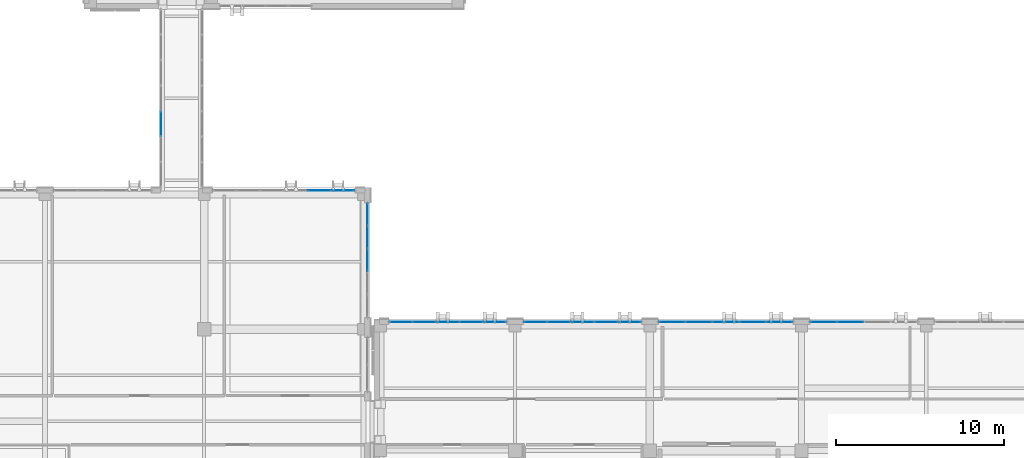
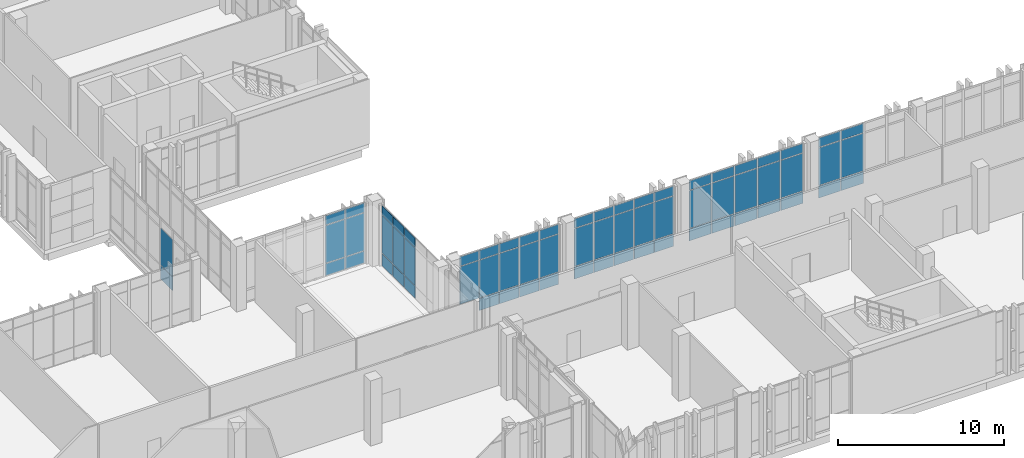
# One storey, part 137 of 189: 67 plates, 7 elements without a shape of their own.
"""IFC4 building model written with IfcOpenShell, lengths in metres."""

from ifc_helpers import new_model, si_unit, direction, frame, origin, origin_2d, place, context, subcontext, project, spatial, rectangle, extrude, material, layer, layer_set, type_object, element, aggregate, save


model = new_model("IFC4")

# Units and contexts
model_context = context("Model", 3, precision=1e-05, world=origin(), true_north=direction((0.0, 1.0)))
body_context = subcontext(model_context, "Body", "Model", "MODEL_VIEW")
ifc_project = project(units=[si_unit("LENGTHUNIT", "METRE"), si_unit("AREAUNIT", "SQUARE_METRE"), si_unit("VOLUMEUNIT", "CUBIC_METRE"), si_unit("PLANEANGLEUNIT", "RADIAN"), si_unit("MASSUNIT", "GRAM", prefix="KILO")], contexts=[model_context])

# Site, building, storey
site_placement = place(None, origin())
site = spatial("IfcSite", under=ifc_project, at=site_placement, CompositionType="ELEMENT")
building_placement = place(site_placement, origin())
building = spatial("IfcBuilding", under=site, at=building_placement, Name="Qalavern Law Courts", CompositionType="ELEMENT")
storey_placement = place(building_placement, frame((0.0, 0.0, 5.39990234375)))
storey = spatial("IfcBuildingStorey", under=building, at=storey_placement, Name="L01", CompositionType="ELEMENT", Elevation=5.39990234375)

# Curtain wall, plates
ifc_material_1 = material(Name="Anodised aluminium and insulated glazing", Category="aluminium")
ifc_layer_1 = layer(ifc_material_1, 0.172119140625)
ifc_layer_set_1 = layer_set([ifc_layer_1], Name="Anodised aluminium and insulated glazing")
curtain_wall_type_1 = type_object("IfcCurtainWallType", Name="ENV-CW-COURT", PredefinedType="USERDEFINED", material=ifc_layer_set_1)
curtain_wall_1_placement = place(storey_placement, origin())
curtain_wall_1 = element("IfcCurtainWall", 1, at=curtain_wall_1_placement, inside=storey, type_object=curtain_wall_type_1, Name="V6 unitised curtain wall L01 north 5", ObjectType="UNITISED CURTAIN WALL", PredefinedType="USERDEFINED")
ifc_material_2 = material(Name="Insulated low-E acoustic glazing", Category="glass")
ifc_layer_2 = layer(ifc_material_2, 0.028076171875)
ifc_layer_set_2 = layer_set([ifc_layer_2], Name="Insulated low-E acoustic glazing")
plate_type_1 = type_object("IfcPlateType", Name="ENV-CWP-28", PredefinedType="CURTAIN_PANEL", material=ifc_layer_set_2)
plate_1_placement = place(storey_placement, frame((129.699951171875, 22.4375, 0.048095703125), z_axis=(0.0, 0.0, 1.0), x_axis=(-1.0, 0.0, 0.0)))
plate_1 = element("IfcPlate", 2, at=plate_1_placement, type_object=plate_type_1, Name="CW-03 panel 3.1", PredefinedType="CURTAIN_PANEL", context=body_context, shape_type="SweptSolid", body=[
    extrude(rectangle(XDim=1.552001953125, YDim=0.028076171875, at=origin_2d()), origin(), (0.0, 0.0, 1.0), 0.8779296875),
])
plate_2_placement = place(storey_placement, frame((129.699951171875, 22.4375, 0.97412109375), z_axis=(0.0, 0.0, 1.0), x_axis=(-1.0, 0.0, 0.0)))
plate_2 = element("IfcPlate", 3, at=plate_2_placement, type_object=plate_type_1, Name="CW-03 panel 3.2", PredefinedType="CURTAIN_PANEL", context=body_context, shape_type="SweptSolid", body=[
    extrude(rectangle(XDim=1.552001953125, YDim=0.028076171875, at=origin_2d()), origin(), (0.0, 0.0, 1.0), 2.761962890625),
])
plate_3_placement = place(storey_placement, frame((129.699951171875, 22.4375, 3.7841796875), z_axis=(0.0, 0.0, 1.0), x_axis=(-1.0, 0.0, 0.0)))
plate_3 = element("IfcPlate", 4, at=plate_3_placement, type_object=plate_type_1, Name="CW-03 panel 3.3", PredefinedType="CURTAIN_PANEL", context=body_context, shape_type="SweptSolid", body=[
    extrude(rectangle(XDim=1.552001953125, YDim=0.028076171875, at=origin_2d()), origin(), (0.0, 0.0, 1.0), 0.677978515625),
])
plate_4_placement = place(storey_placement, frame((128.112060546875, 22.4375, 0.048095703125), z_axis=(0.0, 0.0, 1.0), x_axis=(-1.0, 0.0, 0.0)))
plate_4 = element("IfcPlate", 5, at=plate_4_placement, type_object=plate_type_1, Name="CW-03 panel 4.1", PredefinedType="CURTAIN_PANEL", context=body_context, shape_type="SweptSolid", body=[
    extrude(rectangle(XDim=1.528076171875, YDim=0.028076171875, at=origin_2d()), origin(), (0.0, 0.0, 1.0), 0.8779296875),
])
plate_5_placement = place(storey_placement, frame((128.112060546875, 22.4375, 0.97412109375), z_axis=(0.0, 0.0, 1.0), x_axis=(-1.0, 0.0, 0.0)))
plate_5 = element("IfcPlate", 6, at=plate_5_placement, type_object=plate_type_1, Name="CW-03 panel 4.2", PredefinedType="CURTAIN_PANEL", context=body_context, shape_type="SweptSolid", body=[
    extrude(rectangle(XDim=1.528076171875, YDim=0.028076171875, at=origin_2d()), origin(), (0.0, 0.0, 1.0), 2.761962890625),
])
plate_6_placement = place(storey_placement, frame((128.112060546875, 22.4375, 3.7841796875), z_axis=(0.0, 0.0, 1.0), x_axis=(-1.0, 0.0, 0.0)))
plate_6 = element("IfcPlate", 7, at=plate_6_placement, type_object=plate_type_1, Name="CW-03 panel 4.3", PredefinedType="CURTAIN_PANEL", context=body_context, shape_type="SweptSolid", body=[
    extrude(rectangle(XDim=1.528076171875, YDim=0.028076171875, at=origin_2d()), origin(), (0.0, 0.0, 1.0), 0.677978515625),
])
aggregate(curtain_wall_1, [plate_1, plate_2, plate_3, plate_4, plate_5, plate_6])

curtain_wall_2_placement = place(storey_placement, origin())
curtain_wall_2 = element("IfcCurtainWall", 8, at=curtain_wall_2_placement, inside=storey, type_object=curtain_wall_type_1, Name="V6 unitised curtain wall L01 north 6", ObjectType="UNITISED CURTAIN WALL", PredefinedType="USERDEFINED")
ifc_layer_3 = layer(ifc_material_2, 0.031982421875)
ifc_layer_set_3 = layer_set([ifc_layer_3], Name="Insulated low-E acoustic glazing")
plate_type_2 = type_object("IfcPlateType", Name="ENV-CWP-32", PredefinedType="CURTAIN_PANEL", material=ifc_layer_set_3)
plate_7_placement = place(storey_placement, frame((125.488037109375, 22.4375, 0.048095703125), z_axis=(0.0, 0.0, 1.0), x_axis=(-1.0, 0.0, 0.0)))
plate_7 = element("IfcPlate", 9, at=plate_7_placement, type_object=plate_type_2, Name="CW-03 panel 1.1", PredefinedType="CURTAIN_PANEL", context=body_context, shape_type="SweptSolid", body=[
    extrude(rectangle(XDim=1.528076171875, YDim=0.031982421875, at=origin_2d()), origin(), (0.0, 0.0, 1.0), 0.8779296875),
])
plate_8_placement = place(storey_placement, frame((125.488037109375, 22.4375, 0.97412109375), z_axis=(0.0, 0.0, 1.0), x_axis=(-1.0, 0.0, 0.0)))
plate_8 = element("IfcPlate", 10, at=plate_8_placement, type_object=plate_type_2, Name="CW-03 panel 1.2", PredefinedType="CURTAIN_PANEL", context=body_context, shape_type="SweptSolid", body=[
    extrude(rectangle(XDim=1.528076171875, YDim=0.031982421875, at=origin_2d()), origin(), (0.0, 0.0, 1.0), 2.761962890625),
])
plate_9_placement = place(storey_placement, frame((125.488037109375, 22.4375, 3.7841796875), z_axis=(0.0, 0.0, 1.0), x_axis=(-1.0, 0.0, 0.0)))
plate_9 = element("IfcPlate", 11, at=plate_9_placement, type_object=plate_type_2, Name="CW-03 panel 1.3", PredefinedType="CURTAIN_PANEL", context=body_context, shape_type="SweptSolid", body=[
    extrude(rectangle(XDim=1.528076171875, YDim=0.031982421875, at=origin_2d()), origin(), (0.0, 0.0, 1.0), 0.677978515625),
])
plate_10_placement = place(storey_placement, frame((123.89990234375, 22.4375, 0.048095703125), z_axis=(0.0, 0.0, 1.0), x_axis=(-1.0, 0.0, 0.0)))
plate_10 = element("IfcPlate", 12, at=plate_10_placement, type_object=plate_type_2, Name="CW-03 panel 2.1", PredefinedType="CURTAIN_PANEL", context=body_context, shape_type="SweptSolid", body=[
    extrude(rectangle(XDim=1.552001953125, YDim=0.031982421875, at=origin_2d()), origin(), (0.0, 0.0, 1.0), 0.8779296875),
])
plate_11_placement = place(storey_placement, frame((123.89990234375, 22.4375, 0.97412109375), z_axis=(0.0, 0.0, 1.0), x_axis=(-1.0, 0.0, 0.0)))
plate_11 = element("IfcPlate", 13, at=plate_11_placement, type_object=plate_type_2, Name="CW-03 panel 2.2", PredefinedType="CURTAIN_PANEL", context=body_context, shape_type="SweptSolid", body=[
    extrude(rectangle(XDim=1.552001953125, YDim=0.031982421875, at=origin_2d()), origin(), (0.0, 0.0, 1.0), 2.761962890625),
])
plate_12_placement = place(storey_placement, frame((123.89990234375, 22.4375, 3.7841796875), z_axis=(0.0, 0.0, 1.0), x_axis=(-1.0, 0.0, 0.0)))
plate_12 = element("IfcPlate", 14, at=plate_12_placement, type_object=plate_type_2, Name="CW-03 panel 2.3", PredefinedType="CURTAIN_PANEL", context=body_context, shape_type="SweptSolid", body=[
    extrude(rectangle(XDim=1.552001953125, YDim=0.031982421875, at=origin_2d()), origin(), (0.0, 0.0, 1.0), 0.677978515625),
])
plate_13_placement = place(storey_placement, frame((122.300048828125, 22.4375, 0.048095703125), z_axis=(0.0, 0.0, 1.0), x_axis=(-1.0, 0.0, 0.0)))
plate_13 = element("IfcPlate", 15, at=plate_13_placement, type_object=plate_type_2, Name="CW-03 panel 3.1", PredefinedType="CURTAIN_PANEL", context=body_context, shape_type="SweptSolid", body=[
    extrude(rectangle(XDim=1.552001953125, YDim=0.031982421875, at=origin_2d()), origin(), (0.0, 0.0, 1.0), 0.8779296875),
])
plate_14_placement = place(storey_placement, frame((122.300048828125, 22.4375, 0.97412109375), z_axis=(0.0, 0.0, 1.0), x_axis=(-1.0, 0.0, 0.0)))
plate_14 = element("IfcPlate", 16, at=plate_14_placement, type_object=plate_type_2, Name="CW-03 panel 3.2", PredefinedType="CURTAIN_PANEL", context=body_context, shape_type="SweptSolid", body=[
    extrude(rectangle(XDim=1.552001953125, YDim=0.031982421875, at=origin_2d()), origin(), (0.0, 0.0, 1.0), 2.761962890625),
])
plate_15_placement = place(storey_placement, frame((122.300048828125, 22.4375, 3.7841796875), z_axis=(0.0, 0.0, 1.0), x_axis=(-1.0, 0.0, 0.0)))
plate_15 = element("IfcPlate", 17, at=plate_15_placement, type_object=plate_type_2, Name="CW-03 panel 3.3", PredefinedType="CURTAIN_PANEL", context=body_context, shape_type="SweptSolid", body=[
    extrude(rectangle(XDim=1.552001953125, YDim=0.031982421875, at=origin_2d()), origin(), (0.0, 0.0, 1.0), 0.677978515625),
])
plate_16_placement = place(storey_placement, frame((120.699951171875, 22.4375, 0.048095703125), z_axis=(0.0, 0.0, 1.0), x_axis=(-1.0, 0.0, 0.0)))
plate_16 = element("IfcPlate", 18, at=plate_16_placement, type_object=plate_type_2, Name="CW-03 panel 4.1", PredefinedType="CURTAIN_PANEL", context=body_context, shape_type="SweptSolid", body=[
    extrude(rectangle(XDim=1.552001953125, YDim=0.031982421875, at=origin_2d()), origin(), (0.0, 0.0, 1.0), 0.8779296875),
])
plate_17_placement = place(storey_placement, frame((120.699951171875, 22.4375, 0.97412109375), z_axis=(0.0, 0.0, 1.0), x_axis=(-1.0, 0.0, 0.0)))
plate_17 = element("IfcPlate", 19, at=plate_17_placement, type_object=plate_type_2, Name="CW-03 panel 4.2", PredefinedType="CURTAIN_PANEL", context=body_context, shape_type="SweptSolid", body=[
    extrude(rectangle(XDim=1.552001953125, YDim=0.031982421875, at=origin_2d()), origin(), (0.0, 0.0, 1.0), 2.761962890625),
])
plate_18_placement = place(storey_placement, frame((120.699951171875, 22.4375, 3.7841796875), z_axis=(0.0, 0.0, 1.0), x_axis=(-1.0, 0.0, 0.0)))
plate_18 = element("IfcPlate", 20, at=plate_18_placement, type_object=plate_type_2, Name="CW-03 panel 4.3", PredefinedType="CURTAIN_PANEL", context=body_context, shape_type="SweptSolid", body=[
    extrude(rectangle(XDim=1.552001953125, YDim=0.031982421875, at=origin_2d()), origin(), (0.0, 0.0, 1.0), 0.677978515625),
])
plate_19_placement = place(storey_placement, frame((119.112060546875, 22.4375, 0.048095703125), z_axis=(0.0, 0.0, 1.0), x_axis=(-1.0, 0.0, 0.0)))
plate_19 = element("IfcPlate", 21, at=plate_19_placement, type_object=plate_type_2, Name="CW-03 panel 5.1", PredefinedType="CURTAIN_PANEL", context=body_context, shape_type="SweptSolid", body=[
    extrude(rectangle(XDim=1.528076171875, YDim=0.031982421875, at=origin_2d()), origin(), (0.0, 0.0, 1.0), 0.8779296875),
])
plate_20_placement = place(storey_placement, frame((119.112060546875, 22.4375, 0.97412109375), z_axis=(0.0, 0.0, 1.0), x_axis=(-1.0, 0.0, 0.0)))
plate_20 = element("IfcPlate", 22, at=plate_20_placement, type_object=plate_type_2, Name="CW-03 panel 5.2", PredefinedType="CURTAIN_PANEL", context=body_context, shape_type="SweptSolid", body=[
    extrude(rectangle(XDim=1.528076171875, YDim=0.031982421875, at=origin_2d()), origin(), (0.0, 0.0, 1.0), 2.761962890625),
])
plate_21_placement = place(storey_placement, frame((119.112060546875, 22.4375, 3.7841796875), z_axis=(0.0, 0.0, 1.0), x_axis=(-1.0, 0.0, 0.0)))
plate_21 = element("IfcPlate", 23, at=plate_21_placement, type_object=plate_type_2, Name="CW-03 panel 5.3", PredefinedType="CURTAIN_PANEL", context=body_context, shape_type="SweptSolid", body=[
    extrude(rectangle(XDim=1.528076171875, YDim=0.031982421875, at=origin_2d()), origin(), (0.0, 0.0, 1.0), 0.677978515625),
])
aggregate(curtain_wall_2, [plate_7, plate_8, plate_9, plate_10, plate_11, plate_12, plate_13, plate_14, plate_15, plate_16, plate_17, plate_18, plate_19, plate_20, plate_21])

ifc_layer_4 = layer(ifc_material_1, 0.14990234375)
ifc_layer_set_4 = layer_set([ifc_layer_4], Name="Anodised aluminium and insulated glazing")
curtain_wall_type_2 = type_object("IfcCurtainWallType", Name="ENV-CW-BRG", PredefinedType="USERDEFINED", material=ifc_layer_set_4)
curtain_wall_3_placement = place(storey_placement, origin())
curtain_wall_3 = element("IfcCurtainWall", 24, at=curtain_wall_3_placement, inside=storey, type_object=curtain_wall_type_2, Name="Bridge BR-V2-V4 glazed curtain wall L01-1", ObjectType="UNITISED CURTAIN WALL", PredefinedType="USERDEFINED")
plate_22_placement = place(storey_placement, frame((88.77490234375, 34.198486328125, 0.048095703125), z_axis=(0.0, 0.0, 1.0), x_axis=(0.0, -1.0, 0.0)))
plate_22 = element("IfcPlate", 25, at=plate_22_placement, type_object=plate_type_2, Name="CW-06 panel 5.1", PredefinedType="CURTAIN_PANEL", context=body_context, shape_type="SweptSolid", body=[
    extrude(rectangle(XDim=1.46337890625, YDim=0.031982421875, at=origin_2d()), origin(), (0.0, 0.0, 1.0), 0.97802734375),
])
plate_23_placement = place(storey_placement, frame((88.77490234375, 34.198486328125, 1.07421875), z_axis=(0.0, 0.0, 1.0), x_axis=(0.0, -1.0, 0.0)))
plate_23 = element("IfcPlate", 26, at=plate_23_placement, type_object=plate_type_2, Name="CW-06 panel 5.2", PredefinedType="CURTAIN_PANEL", context=body_context, shape_type="SweptSolid", body=[
    extrude(rectangle(XDim=1.46337890625, YDim=0.031982421875, at=origin_2d()), origin(), (0.0, 0.0, 1.0), 2.7119140625),
])
aggregate(curtain_wall_3, [plate_22, plate_23])

curtain_wall_4_placement = place(storey_placement, origin())
curtain_wall_4 = element("IfcCurtainWall", 27, at=curtain_wall_4_placement, inside=storey, type_object=curtain_wall_type_1, Name="V6 unitised curtain wall L01 north 7", ObjectType="UNITISED CURTAIN WALL", PredefinedType="USERDEFINED")
ifc_layer_5 = layer(ifc_material_2, 0.035888671875)
ifc_layer_set_5 = layer_set([ifc_layer_5], Name="Insulated low-E acoustic glazing")
plate_type_3 = type_object("IfcPlateType", Name="ENV-CWP-36", PredefinedType="CURTAIN_PANEL", material=ifc_layer_set_5)
plate_24_placement = place(storey_placement, frame((116.587890625, 22.4375, 0.048095703125), z_axis=(0.0, 0.0, 1.0), x_axis=(-1.0, 0.0, 0.0)))
plate_24 = element("IfcPlate", 28, at=plate_24_placement, type_object=plate_type_3, Name="CW-03 panel 1.1", PredefinedType="CURTAIN_PANEL", context=body_context, shape_type="SweptSolid", body=[
    extrude(rectangle(XDim=1.327880859375, YDim=0.035888671875, at=origin_2d()), origin(), (0.0, 0.0, 1.0), 0.8779296875),
])
plate_25_placement = place(storey_placement, frame((116.587890625, 22.4375, 0.97412109375), z_axis=(0.0, 0.0, 1.0), x_axis=(-1.0, 0.0, 0.0)))
plate_25 = element("IfcPlate", 29, at=plate_25_placement, type_object=plate_type_3, Name="CW-03 panel 1.2", PredefinedType="CURTAIN_PANEL", context=body_context, shape_type="SweptSolid", body=[
    extrude(rectangle(XDim=1.327880859375, YDim=0.035888671875, at=origin_2d()), origin(), (0.0, 0.0, 1.0), 2.761962890625),
])
plate_26_placement = place(storey_placement, frame((116.587890625, 22.4375, 3.7841796875), z_axis=(0.0, 0.0, 1.0), x_axis=(-1.0, 0.0, 0.0)))
plate_26 = element("IfcPlate", 30, at=plate_26_placement, type_object=plate_type_3, Name="CW-03 panel 1.3", PredefinedType="CURTAIN_PANEL", context=body_context, shape_type="SweptSolid", body=[
    extrude(rectangle(XDim=1.327880859375, YDim=0.035888671875, at=origin_2d()), origin(), (0.0, 0.0, 1.0), 0.677978515625),
])
plate_27_placement = place(storey_placement, frame((115.199951171875, 22.4375, 0.048095703125), z_axis=(0.0, 0.0, 1.0), x_axis=(-1.0, 0.0, 0.0)))
plate_27 = element("IfcPlate", 31, at=plate_27_placement, type_object=plate_type_3, Name="CW-03 panel 2.1", PredefinedType="CURTAIN_PANEL", context=body_context, shape_type="SweptSolid", body=[
    extrude(rectangle(XDim=1.35205078125, YDim=0.035888671875, at=origin_2d()), origin(), (0.0, 0.0, 1.0), 0.8779296875),
])
plate_28_placement = place(storey_placement, frame((115.199951171875, 22.4375, 0.97412109375), z_axis=(0.0, 0.0, 1.0), x_axis=(-1.0, 0.0, 0.0)))
plate_28 = element("IfcPlate", 32, at=plate_28_placement, type_object=plate_type_3, Name="CW-03 panel 2.2", PredefinedType="CURTAIN_PANEL", context=body_context, shape_type="SweptSolid", body=[
    extrude(rectangle(XDim=1.35205078125, YDim=0.035888671875, at=origin_2d()), origin(), (0.0, 0.0, 1.0), 2.761962890625),
])
plate_29_placement = place(storey_placement, frame((115.199951171875, 22.4375, 3.7841796875), z_axis=(0.0, 0.0, 1.0), x_axis=(-1.0, 0.0, 0.0)))
plate_29 = element("IfcPlate", 33, at=plate_29_placement, type_object=plate_type_3, Name="CW-03 panel 2.3", PredefinedType="CURTAIN_PANEL", context=body_context, shape_type="SweptSolid", body=[
    extrude(rectangle(XDim=1.35205078125, YDim=0.035888671875, at=origin_2d()), origin(), (0.0, 0.0, 1.0), 0.677978515625),
])
plate_30_placement = place(storey_placement, frame((113.800048828125, 22.4375, 0.048095703125), z_axis=(0.0, 0.0, 1.0), x_axis=(-1.0, 0.0, 0.0)))
plate_30 = element("IfcPlate", 34, at=plate_30_placement, type_object=plate_type_3, Name="CW-03 panel 3.1", PredefinedType="CURTAIN_PANEL", context=body_context, shape_type="SweptSolid", body=[
    extrude(rectangle(XDim=1.35205078125, YDim=0.035888671875, at=origin_2d()), origin(), (0.0, 0.0, 1.0), 0.8779296875),
])
plate_31_placement = place(storey_placement, frame((113.800048828125, 22.4375, 0.97412109375), z_axis=(0.0, 0.0, 1.0), x_axis=(-1.0, 0.0, 0.0)))
plate_31 = element("IfcPlate", 35, at=plate_31_placement, type_object=plate_type_3, Name="CW-03 panel 3.2", PredefinedType="CURTAIN_PANEL", context=body_context, shape_type="SweptSolid", body=[
    extrude(rectangle(XDim=1.35205078125, YDim=0.035888671875, at=origin_2d()), origin(), (0.0, 0.0, 1.0), 2.761962890625),
])
plate_32_placement = place(storey_placement, frame((113.800048828125, 22.4375, 3.7841796875), z_axis=(0.0, 0.0, 1.0), x_axis=(-1.0, 0.0, 0.0)))
plate_32 = element("IfcPlate", 36, at=plate_32_placement, type_object=plate_type_3, Name="CW-03 panel 3.3", PredefinedType="CURTAIN_PANEL", context=body_context, shape_type="SweptSolid", body=[
    extrude(rectangle(XDim=1.35205078125, YDim=0.035888671875, at=origin_2d()), origin(), (0.0, 0.0, 1.0), 0.677978515625),
])
plate_33_placement = place(storey_placement, frame((112.39990234375, 22.4375, 0.048095703125), z_axis=(0.0, 0.0, 1.0), x_axis=(-1.0, 0.0, 0.0)))
plate_33 = element("IfcPlate", 37, at=plate_33_placement, type_object=plate_type_3, Name="CW-03 panel 4.1", PredefinedType="CURTAIN_PANEL", context=body_context, shape_type="SweptSolid", body=[
    extrude(rectangle(XDim=1.35205078125, YDim=0.035888671875, at=origin_2d()), origin(), (0.0, 0.0, 1.0), 0.8779296875),
])
plate_34_placement = place(storey_placement, frame((112.39990234375, 22.4375, 0.97412109375), z_axis=(0.0, 0.0, 1.0), x_axis=(-1.0, 0.0, 0.0)))
plate_34 = element("IfcPlate", 38, at=plate_34_placement, type_object=plate_type_3, Name="CW-03 panel 4.2", PredefinedType="CURTAIN_PANEL", context=body_context, shape_type="SweptSolid", body=[
    extrude(rectangle(XDim=1.35205078125, YDim=0.035888671875, at=origin_2d()), origin(), (0.0, 0.0, 1.0), 2.761962890625),
])
plate_35_placement = place(storey_placement, frame((112.39990234375, 22.4375, 3.7841796875), z_axis=(0.0, 0.0, 1.0), x_axis=(-1.0, 0.0, 0.0)))
plate_35 = element("IfcPlate", 39, at=plate_35_placement, type_object=plate_type_3, Name="CW-03 panel 4.3", PredefinedType="CURTAIN_PANEL", context=body_context, shape_type="SweptSolid", body=[
    extrude(rectangle(XDim=1.35205078125, YDim=0.035888671875, at=origin_2d()), origin(), (0.0, 0.0, 1.0), 0.677978515625),
])
plate_36_placement = place(storey_placement, frame((111.011962890625, 22.4375, 0.048095703125), z_axis=(0.0, 0.0, 1.0), x_axis=(-1.0, 0.0, 0.0)))
plate_36 = element("IfcPlate", 40, at=plate_36_placement, type_object=plate_type_3, Name="CW-03 panel 5.1", PredefinedType="CURTAIN_PANEL", context=body_context, shape_type="SweptSolid", body=[
    extrude(rectangle(XDim=1.327880859375, YDim=0.035888671875, at=origin_2d()), origin(), (0.0, 0.0, 1.0), 0.8779296875),
])
plate_37_placement = place(storey_placement, frame((111.011962890625, 22.4375, 0.97412109375), z_axis=(0.0, 0.0, 1.0), x_axis=(-1.0, 0.0, 0.0)))
plate_37 = element("IfcPlate", 41, at=plate_37_placement, type_object=plate_type_3, Name="CW-03 panel 5.2", PredefinedType="CURTAIN_PANEL", context=body_context, shape_type="SweptSolid", body=[
    extrude(rectangle(XDim=1.327880859375, YDim=0.035888671875, at=origin_2d()), origin(), (0.0, 0.0, 1.0), 2.761962890625),
])
plate_38_placement = place(storey_placement, frame((111.011962890625, 22.4375, 3.7841796875), z_axis=(0.0, 0.0, 1.0), x_axis=(-1.0, 0.0, 0.0)))
plate_38 = element("IfcPlate", 42, at=plate_38_placement, type_object=plate_type_3, Name="CW-03 panel 5.3", PredefinedType="CURTAIN_PANEL", context=body_context, shape_type="SweptSolid", body=[
    extrude(rectangle(XDim=1.327880859375, YDim=0.035888671875, at=origin_2d()), origin(), (0.0, 0.0, 1.0), 0.677978515625),
])
aggregate(curtain_wall_4, [plate_24, plate_25, plate_26, plate_27, plate_28, plate_29, plate_30, plate_31, plate_32, plate_33, plate_34, plate_35, plate_36, plate_37, plate_38])

curtain_wall_5_placement = place(storey_placement, origin())
curtain_wall_5 = element("IfcCurtainWall", 43, at=curtain_wall_5_placement, inside=storey, type_object=curtain_wall_type_1, Name="V6 unitised curtain wall L01 north 8", ObjectType="UNITISED CURTAIN WALL", PredefinedType="USERDEFINED")
ifc_layer_6 = layer(ifc_material_2, 0.0400390625)
ifc_layer_set_6 = layer_set([ifc_layer_6], Name="Insulated low-E acoustic glazing")
plate_type_4 = type_object("IfcPlateType", Name="ENV-CWP-40", PredefinedType="CURTAIN_PANEL", material=ifc_layer_set_6)
plate_39_placement = place(storey_placement, frame((108.590087890625, 22.4375, 0.048095703125), z_axis=(0.0, 0.0, 1.0), x_axis=(-1.0, 0.0, 0.0)))
plate_39 = element("IfcPlate", 44, at=plate_39_placement, type_object=plate_type_4, Name="CW-03 panel 1.1", PredefinedType="CURTAIN_PANEL", context=body_context, shape_type="SweptSolid", body=[
    extrude(rectangle(XDim=1.323974609375, YDim=0.0400390625, at=origin_2d()), origin(), (0.0, 0.0, 1.0), 0.8779296875),
])
plate_40_placement = place(storey_placement, frame((108.590087890625, 22.4375, 0.97412109375), z_axis=(0.0, 0.0, 1.0), x_axis=(-1.0, 0.0, 0.0)))
plate_40 = element("IfcPlate", 45, at=plate_40_placement, type_object=plate_type_4, Name="CW-03 panel 1.2", PredefinedType="CURTAIN_PANEL", context=body_context, shape_type="SweptSolid", body=[
    extrude(rectangle(XDim=1.323974609375, YDim=0.0400390625, at=origin_2d()), origin(), (0.0, 0.0, 1.0), 2.761962890625),
])
plate_41_placement = place(storey_placement, frame((108.590087890625, 22.4375, 3.7841796875), z_axis=(0.0, 0.0, 1.0), x_axis=(-1.0, 0.0, 0.0)))
plate_41 = element("IfcPlate", 46, at=plate_41_placement, type_object=plate_type_4, Name="CW-03 panel 1.3", PredefinedType="CURTAIN_PANEL", context=body_context, shape_type="SweptSolid", body=[
    extrude(rectangle(XDim=1.323974609375, YDim=0.0400390625, at=origin_2d()), origin(), (0.0, 0.0, 1.0), 0.677978515625),
])
plate_42_placement = place(storey_placement, frame((107.2060546875, 22.4375, 0.048095703125), z_axis=(0.0, 0.0, 1.0), x_axis=(-1.0, 0.0, 0.0)))
plate_42 = element("IfcPlate", 47, at=plate_42_placement, type_object=plate_type_4, Name="CW-03 panel 2.1", PredefinedType="CURTAIN_PANEL", context=body_context, shape_type="SweptSolid", body=[
    extrude(rectangle(XDim=1.347900390625, YDim=0.0400390625, at=origin_2d()), origin(), (0.0, 0.0, 1.0), 0.8779296875),
])
plate_43_placement = place(storey_placement, frame((107.2060546875, 22.4375, 0.97412109375), z_axis=(0.0, 0.0, 1.0), x_axis=(-1.0, 0.0, 0.0)))
plate_43 = element("IfcPlate", 48, at=plate_43_placement, type_object=plate_type_4, Name="CW-03 panel 2.2", PredefinedType="CURTAIN_PANEL", context=body_context, shape_type="SweptSolid", body=[
    extrude(rectangle(XDim=1.347900390625, YDim=0.0400390625, at=origin_2d()), origin(), (0.0, 0.0, 1.0), 2.761962890625),
])
plate_44_placement = place(storey_placement, frame((107.2060546875, 22.4375, 3.7841796875), z_axis=(0.0, 0.0, 1.0), x_axis=(-1.0, 0.0, 0.0)))
plate_44 = element("IfcPlate", 49, at=plate_44_placement, type_object=plate_type_4, Name="CW-03 panel 2.3", PredefinedType="CURTAIN_PANEL", context=body_context, shape_type="SweptSolid", body=[
    extrude(rectangle(XDim=1.347900390625, YDim=0.0400390625, at=origin_2d()), origin(), (0.0, 0.0, 1.0), 0.677978515625),
])
plate_45_placement = place(storey_placement, frame((105.81005859375, 22.4375, 0.048095703125), z_axis=(0.0, 0.0, 1.0), x_axis=(-1.0, 0.0, 0.0)))
plate_45 = element("IfcPlate", 50, at=plate_45_placement, type_object=plate_type_4, Name="CW-03 panel 3.1", PredefinedType="CURTAIN_PANEL", context=body_context, shape_type="SweptSolid", body=[
    extrude(rectangle(XDim=1.347900390625, YDim=0.0400390625, at=origin_2d()), origin(), (0.0, 0.0, 1.0), 0.8779296875),
])
plate_46_placement = place(storey_placement, frame((105.81005859375, 22.4375, 0.97412109375), z_axis=(0.0, 0.0, 1.0), x_axis=(-1.0, 0.0, 0.0)))
plate_46 = element("IfcPlate", 51, at=plate_46_placement, type_object=plate_type_4, Name="CW-03 panel 3.2", PredefinedType="CURTAIN_PANEL", context=body_context, shape_type="SweptSolid", body=[
    extrude(rectangle(XDim=1.347900390625, YDim=0.0400390625, at=origin_2d()), origin(), (0.0, 0.0, 1.0), 2.761962890625),
])
plate_47_placement = place(storey_placement, frame((105.81005859375, 22.4375, 3.7841796875), z_axis=(0.0, 0.0, 1.0), x_axis=(-1.0, 0.0, 0.0)))
plate_47 = element("IfcPlate", 52, at=plate_47_placement, type_object=plate_type_4, Name="CW-03 panel 3.3", PredefinedType="CURTAIN_PANEL", context=body_context, shape_type="SweptSolid", body=[
    extrude(rectangle(XDim=1.347900390625, YDim=0.0400390625, at=origin_2d()), origin(), (0.0, 0.0, 1.0), 0.677978515625),
])
plate_48_placement = place(storey_placement, frame((104.4140625, 22.4375, 0.048095703125), z_axis=(0.0, 0.0, 1.0), x_axis=(-1.0, 0.0, 0.0)))
plate_48 = element("IfcPlate", 53, at=plate_48_placement, type_object=plate_type_4, Name="CW-03 panel 4.1", PredefinedType="CURTAIN_PANEL", context=body_context, shape_type="SweptSolid", body=[
    extrude(rectangle(XDim=1.347900390625, YDim=0.0400390625, at=origin_2d()), origin(), (0.0, 0.0, 1.0), 0.8779296875),
])
plate_49_placement = place(storey_placement, frame((104.4140625, 22.4375, 0.97412109375), z_axis=(0.0, 0.0, 1.0), x_axis=(-1.0, 0.0, 0.0)))
plate_49 = element("IfcPlate", 54, at=plate_49_placement, type_object=plate_type_4, Name="CW-03 panel 4.2", PredefinedType="CURTAIN_PANEL", context=body_context, shape_type="SweptSolid", body=[
    extrude(rectangle(XDim=1.347900390625, YDim=0.0400390625, at=origin_2d()), origin(), (0.0, 0.0, 1.0), 2.761962890625),
])
plate_50_placement = place(storey_placement, frame((104.4140625, 22.4375, 3.7841796875), z_axis=(0.0, 0.0, 1.0), x_axis=(-1.0, 0.0, 0.0)))
plate_50 = element("IfcPlate", 55, at=plate_50_placement, type_object=plate_type_4, Name="CW-03 panel 4.3", PredefinedType="CURTAIN_PANEL", context=body_context, shape_type="SweptSolid", body=[
    extrude(rectangle(XDim=1.347900390625, YDim=0.0400390625, at=origin_2d()), origin(), (0.0, 0.0, 1.0), 0.677978515625),
])
plate_51_placement = place(storey_placement, frame((103.030029296875, 22.4375, 0.97412109375), z_axis=(0.0, 0.0, 1.0), x_axis=(-1.0, 0.0, 0.0)))
plate_51 = element("IfcPlate", 56, at=plate_51_placement, type_object=plate_type_4, Name="CW-03 panel 5.2", PredefinedType="CURTAIN_PANEL", context=body_context, shape_type="SweptSolid", body=[
    extrude(rectangle(XDim=1.323974609375, YDim=0.0400390625, at=origin_2d()), origin(), (0.0, 0.0, 1.0), 2.761962890625),
])
plate_52_placement = place(storey_placement, frame((103.030029296875, 22.4375, 3.7841796875), z_axis=(0.0, 0.0, 1.0), x_axis=(-1.0, 0.0, 0.0)))
plate_52 = element("IfcPlate", 57, at=plate_52_placement, type_object=plate_type_4, Name="CW-03 panel 5.3", PredefinedType="CURTAIN_PANEL", context=body_context, shape_type="SweptSolid", body=[
    extrude(rectangle(XDim=1.323974609375, YDim=0.0400390625, at=origin_2d()), origin(), (0.0, 0.0, 1.0), 0.677978515625),
])
aggregate(curtain_wall_5, [plate_39, plate_40, plate_41, plate_42, plate_43, plate_44, plate_45, plate_46, plate_47, plate_48, plate_49, plate_50, plate_51, plate_52])

ifc_layer_7 = layer(ifc_material_1, 0.18505859375)
ifc_layer_set_7 = layer_set([ifc_layer_7], Name="Anodised aluminium and insulated glazing")
curtain_wall_type_3 = type_object("IfcCurtainWallType", Name="ENV-CW-HALL", PredefinedType="USERDEFINED", material=ifc_layer_set_7)
curtain_wall_6_placement = place(storey_placement, origin())
curtain_wall_6 = element("IfcCurtainWall", 58, at=curtain_wall_6_placement, inside=storey, type_object=curtain_wall_type_3, Name="V2 unitised curtain wall L01 north 1", ObjectType="UNITISED CURTAIN WALL", PredefinedType="USERDEFINED")
ifc_layer_8 = layer(ifc_material_2, 0.0439453125)
ifc_layer_set_8 = layer_set([ifc_layer_8], Name="Insulated low-E acoustic glazing")
plate_type_5 = type_object("IfcPlateType", Name="ENV-CWP-44", PredefinedType="CURTAIN_PANEL", material=ifc_layer_set_8)
plate_53_placement = place(storey_placement, frame((99.58349609375, 30.237548828125, 0.048095703125), z_axis=(0.0, 0.0, 1.0), x_axis=(-1.0, 0.0, 0.0)))
plate_53 = element("IfcPlate", 59, at=plate_53_placement, type_object=plate_type_5, Name="CW-02 panel 1.1", PredefinedType="CURTAIN_PANEL", context=body_context, shape_type="SweptSolid", body=[
    extrude(rectangle(XDim=1.337158203125, YDim=0.0439453125, at=origin_2d()), origin(), (0.0, 0.0, 1.0), 0.8779296875),
])
plate_54_placement = place(storey_placement, frame((99.58349609375, 30.237548828125, 0.97412109375), z_axis=(0.0, 0.0, 1.0), x_axis=(-1.0, 0.0, 0.0)))
plate_54 = element("IfcPlate", 60, at=plate_54_placement, type_object=plate_type_5, Name="CW-02 panel 1.2", PredefinedType="CURTAIN_PANEL", context=body_context, shape_type="SweptSolid", body=[
    extrude(rectangle(XDim=1.337158203125, YDim=0.0439453125, at=origin_2d()), origin(), (0.0, 0.0, 1.0), 2.761962890625),
])
plate_55_placement = place(storey_placement, frame((99.58349609375, 30.237548828125, 3.7841796875), z_axis=(0.0, 0.0, 1.0), x_axis=(-1.0, 0.0, 0.0)))
plate_55 = element("IfcPlate", 61, at=plate_55_placement, type_object=plate_type_5, Name="CW-02 panel 1.3", PredefinedType="CURTAIN_PANEL", context=body_context, shape_type="SweptSolid", body=[
    extrude(rectangle(XDim=1.337158203125, YDim=0.0439453125, at=origin_2d()), origin(), (0.0, 0.0, 1.0), 0.677978515625),
])
plate_56_placement = place(storey_placement, frame((98.1865234375, 30.237548828125, 0.048095703125), z_axis=(0.0, 0.0, 1.0), x_axis=(-1.0, 0.0, 0.0)))
plate_56 = element("IfcPlate", 62, at=plate_56_placement, type_object=plate_type_5, Name="CW-02 panel 2.1", PredefinedType="CURTAIN_PANEL", context=body_context, shape_type="SweptSolid", body=[
    extrude(rectangle(XDim=1.361083984375, YDim=0.0439453125, at=origin_2d()), origin(), (0.0, 0.0, 1.0), 0.8779296875),
])
plate_57_placement = place(storey_placement, frame((98.1865234375, 30.237548828125, 0.97412109375), z_axis=(0.0, 0.0, 1.0), x_axis=(-1.0, 0.0, 0.0)))
plate_57 = element("IfcPlate", 63, at=plate_57_placement, type_object=plate_type_5, Name="CW-02 panel 2.2", PredefinedType="CURTAIN_PANEL", context=body_context, shape_type="SweptSolid", body=[
    extrude(rectangle(XDim=1.361083984375, YDim=0.0439453125, at=origin_2d()), origin(), (0.0, 0.0, 1.0), 2.761962890625),
])
plate_58_placement = place(storey_placement, frame((98.1865234375, 30.237548828125, 3.7841796875), z_axis=(0.0, 0.0, 1.0), x_axis=(-1.0, 0.0, 0.0)))
plate_58 = element("IfcPlate", 64, at=plate_58_placement, type_object=plate_type_5, Name="CW-02 panel 2.3", PredefinedType="CURTAIN_PANEL", context=body_context, shape_type="SweptSolid", body=[
    extrude(rectangle(XDim=1.361083984375, YDim=0.0439453125, at=origin_2d()), origin(), (0.0, 0.0, 1.0), 0.677978515625),
])
aggregate(curtain_wall_6, [plate_53, plate_54, plate_55, plate_56, plate_57, plate_58])

curtain_wall_7_placement = place(storey_placement, origin())
curtain_wall_7 = element("IfcCurtainWall", 65, at=curtain_wall_7_placement, inside=storey, type_object=curtain_wall_type_3, Name="V2 unitised curtain wall L01 east 2", ObjectType="UNITISED CURTAIN WALL", PredefinedType="USERDEFINED")
ifc_layer_9 = layer(ifc_material_2, 0.052001953125)
ifc_layer_set_9 = layer_set([ifc_layer_9], Name="Insulated low-E acoustic glazing")
plate_type_6 = type_object("IfcPlateType", Name="ENV-CWP-52", PredefinedType="CURTAIN_PANEL", material=ifc_layer_set_9)
plate_59_placement = place(storey_placement, frame((101.03759765625, 26.10009765625, 0.048095703125), z_axis=(0.0, 0.0, 1.0), x_axis=(0.0, 1.0, 0.0)))
plate_59 = element("IfcPlate", 66, at=plate_59_placement, type_object=plate_type_6, Name="CW-02 panel 3.1", PredefinedType="CURTAIN_PANEL", context=body_context, shape_type="SweptSolid", body=[
    extrude(rectangle(XDim=1.31201171875, YDim=0.052001953125, at=origin_2d()), origin(), (0.0, 0.0, 1.0), 0.8779296875),
])
plate_60_placement = place(storey_placement, frame((101.03759765625, 26.10009765625, 0.97412109375), z_axis=(0.0, 0.0, 1.0), x_axis=(0.0, 1.0, 0.0)))
plate_60 = element("IfcPlate", 67, at=plate_60_placement, type_object=plate_type_6, Name="CW-02 panel 3.2", PredefinedType="CURTAIN_PANEL", context=body_context, shape_type="SweptSolid", body=[
    extrude(rectangle(XDim=1.31201171875, YDim=0.052001953125, at=origin_2d()), origin(), (0.0, 0.0, 1.0), 2.761962890625),
])
plate_61_placement = place(storey_placement, frame((101.03759765625, 26.10009765625, 3.7841796875), z_axis=(0.0, 0.0, 1.0), x_axis=(0.0, 1.0, 0.0)))
plate_61 = element("IfcPlate", 68, at=plate_61_placement, type_object=plate_type_6, Name="CW-02 panel 3.3", PredefinedType="CURTAIN_PANEL", context=body_context, shape_type="SweptSolid", body=[
    extrude(rectangle(XDim=1.31201171875, YDim=0.052001953125, at=origin_2d()), origin(), (0.0, 0.0, 1.0), 0.677978515625),
])
plate_62_placement = place(storey_placement, frame((101.03759765625, 27.4599609375, 0.048095703125), z_axis=(0.0, 0.0, 1.0), x_axis=(0.0, 1.0, 0.0)))
plate_62 = element("IfcPlate", 69, at=plate_62_placement, type_object=plate_type_6, Name="CW-02 panel 4.1", PredefinedType="CURTAIN_PANEL", context=body_context, shape_type="SweptSolid", body=[
    extrude(rectangle(XDim=1.31201171875, YDim=0.052001953125, at=origin_2d()), origin(), (0.0, 0.0, 1.0), 0.8779296875),
])
plate_63_placement = place(storey_placement, frame((101.03759765625, 27.4599609375, 0.97412109375), z_axis=(0.0, 0.0, 1.0), x_axis=(0.0, 1.0, 0.0)))
plate_63 = element("IfcPlate", 70, at=plate_63_placement, type_object=plate_type_6, Name="CW-02 panel 4.2", PredefinedType="CURTAIN_PANEL", context=body_context, shape_type="SweptSolid", body=[
    extrude(rectangle(XDim=1.31201171875, YDim=0.052001953125, at=origin_2d()), origin(), (0.0, 0.0, 1.0), 2.761962890625),
])
plate_64_placement = place(storey_placement, frame((101.03759765625, 27.4599609375, 3.7841796875), z_axis=(0.0, 0.0, 1.0), x_axis=(0.0, 1.0, 0.0)))
plate_64 = element("IfcPlate", 71, at=plate_64_placement, type_object=plate_type_6, Name="CW-02 panel 4.3", PredefinedType="CURTAIN_PANEL", context=body_context, shape_type="SweptSolid", body=[
    extrude(rectangle(XDim=1.31201171875, YDim=0.052001953125, at=origin_2d()), origin(), (0.0, 0.0, 1.0), 0.677978515625),
])
plate_65_placement = place(storey_placement, frame((101.03759765625, 28.80810546875, 0.048095703125), z_axis=(0.0, 0.0, 1.0), x_axis=(0.0, 1.0, 0.0)))
plate_65 = element("IfcPlate", 72, at=plate_65_placement, type_object=plate_type_6, Name="CW-02 panel 5.1", PredefinedType="CURTAIN_PANEL", context=body_context, shape_type="SweptSolid", body=[
    extrude(rectangle(XDim=1.2880859375, YDim=0.052001953125, at=origin_2d()), origin(), (0.0, 0.0, 1.0), 0.8779296875),
])
plate_66_placement = place(storey_placement, frame((101.03759765625, 28.80810546875, 0.97412109375), z_axis=(0.0, 0.0, 1.0), x_axis=(0.0, 1.0, 0.0)))
plate_66 = element("IfcPlate", 73, at=plate_66_placement, type_object=plate_type_6, Name="CW-02 panel 5.2", PredefinedType="CURTAIN_PANEL", context=body_context, shape_type="SweptSolid", body=[
    extrude(rectangle(XDim=1.2880859375, YDim=0.052001953125, at=origin_2d()), origin(), (0.0, 0.0, 1.0), 2.761962890625),
])
plate_67_placement = place(storey_placement, frame((101.03759765625, 28.80810546875, 3.7841796875), z_axis=(0.0, 0.0, 1.0), x_axis=(0.0, 1.0, 0.0)))
plate_67 = element("IfcPlate", 74, at=plate_67_placement, type_object=plate_type_6, Name="CW-02 panel 5.3", PredefinedType="CURTAIN_PANEL", context=body_context, shape_type="SweptSolid", body=[
    extrude(rectangle(XDim=1.2880859375, YDim=0.052001953125, at=origin_2d()), origin(), (0.0, 0.0, 1.0), 0.677978515625),
])
aggregate(curtain_wall_7, [plate_59, plate_60, plate_61, plate_62, plate_63, plate_64, plate_65, plate_66, plate_67])

save(model, "model.ifc")
